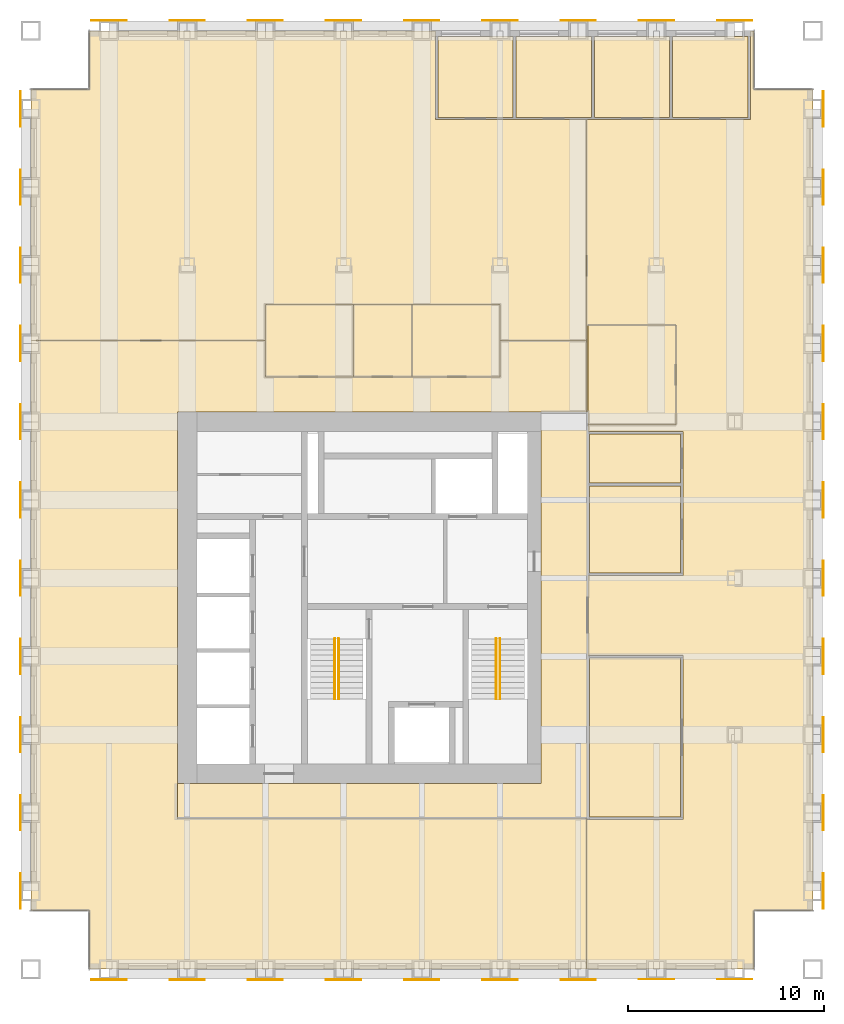
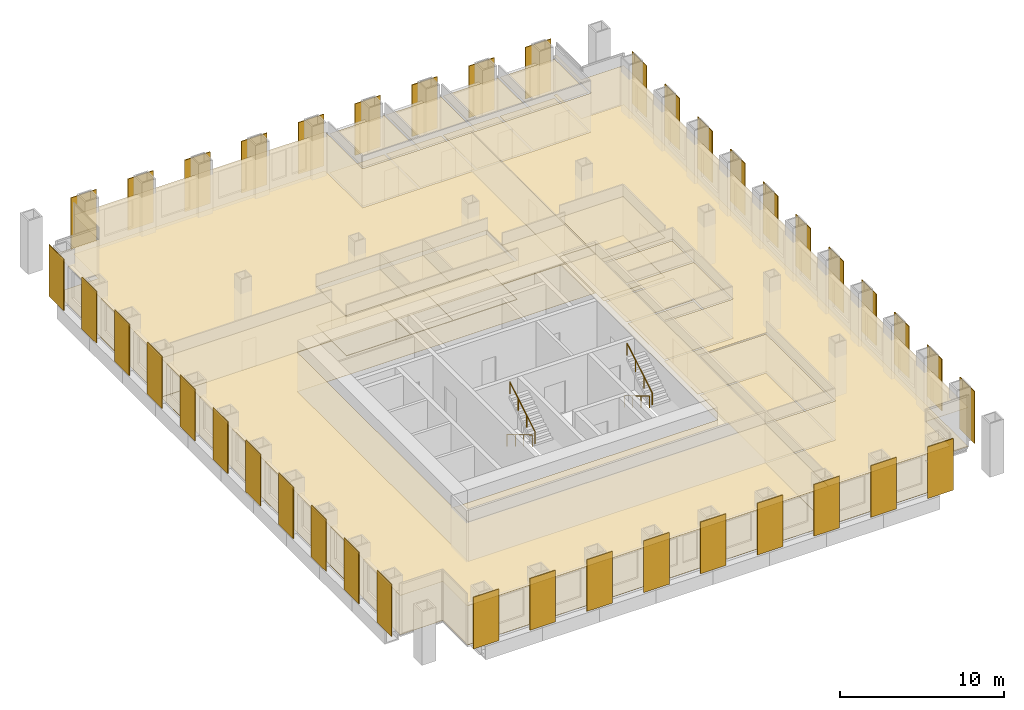
# One storey, part 13 of 13: 40 shading devices, 29 coverings, 4 railings.
"""IFC4 building model written with IfcOpenShell, lengths in metres."""

from ifc_helpers import new_model, si_unit, direction, frame, origin, origin_2d, place, context, subcontext, project, spatial, polyline, rectangle, circle, outline, extrude, material, layer, layer_set, type_object, element, save


model = new_model("IFC4")

# Units and contexts
model_context = context("Model", 3, precision=1e-05, world=origin(), true_north=direction((0.0, 1.0)))
body_context = subcontext(model_context, "Body", "Model", "MODEL_VIEW")
ifc_project = project(units=[si_unit("LENGTHUNIT", "METRE"), si_unit("AREAUNIT", "SQUARE_METRE"), si_unit("VOLUMEUNIT", "CUBIC_METRE"), si_unit("PLANEANGLEUNIT", "RADIAN"), si_unit("MASSUNIT", "GRAM", prefix="KILO")], contexts=[model_context])

# Site, building, storey
site_placement = place(None, origin())
site = spatial("IfcSite", under=ifc_project, at=site_placement, CompositionType="ELEMENT")
building_placement = place(site_placement, origin())
building = spatial("IfcBuilding", under=site, at=building_placement, Name="Rimbunsela Tower", CompositionType="ELEMENT")
storey_placement = place(building_placement, frame((0.0, 0.0, 222.199951171875)))
storey = spatial("IfcBuildingStorey", under=building, at=storey_placement, Name="L53", CompositionType="ELEMENT", Elevation=222.199951171875)

# Coverings
ifc_material_1 = material(Name="Nylon carpet tile", Category="textile")
ifc_layer_1 = layer(ifc_material_1, 0.010009765625)
ifc_layer_set_1 = layer_set([ifc_layer_1], Name="Carpet tile 10")
covering_type_1 = type_object("IfcCoveringType", Name="Carpet tile 10", PredefinedType="FLOORING", material=ifc_layer_set_1)
covering_1_placement = place(storey_placement, origin())
element("IfcCovering", 1, at=covering_1_placement, inside=storey, type_object=covering_type_1, Name="Floor finish Open office", PredefinedType="FLOORING", context=body_context, shape_type="SweptSolid", body=[
    extrude(outline(polyline([(38.425048828125, 51.449951171875), (38.5, 51.449951171875), (38.699951171875, 51.449951171875), (38.800048828125, 51.449951171875), (42.699951171875, 51.449951171875), (42.800048828125, 51.449951171875), (46.800048828125, 51.449951171875), (46.800048828125, 56.0), (47.0, 56.0), (47.0, 53.0), (50.0, 53.0), (50.0, 11.0), (47.0, 11.0), (47.0, 8.0), (38.5, 8.0), (38.425048828125, 8.0), (38.425048828125, 15.699951171875), (38.449951171875, 15.699951171875), (38.449951171875, 15.64990234375), (38.5, 15.64990234375), (43.35009765625, 15.64990234375), (43.35009765625, 24.050048828125), (38.5, 24.050048828125), (38.5, 28.14990234375), (43.35009765625, 28.14990234375), (43.35009765625, 32.75), (43.35009765625, 32.85009765625), (43.35009765625, 35.5), (38.5, 35.5), (38.5, 35.85009765625), (43.0, 35.85009765625), (43.0, 40.949951171875), (38.5, 40.949951171875), (38.5, 36.5), (38.425048828125, 36.5), (38.425048828125, 51.449951171875)])), origin(), (0.0, 0.0, 1.0), 0.010009765625),
])
covering_2_placement = place(storey_placement, origin())
element("IfcCovering", 2, at=covering_2_placement, inside=storey, type_object=covering_type_1, Name="Floor finish Open office", PredefinedType="FLOORING", context=body_context, shape_type="SweptSolid", body=[
    extrude(outline(polyline([(10.0, 40.14990234375), (10.0, 53.0), (13.0, 53.0), (13.0, 56.0), (17.5, 56.0), (30.699951171875, 56.0), (30.699951171875, 51.449951171875), (34.699951171875, 51.449951171875), (34.800048828125, 51.449951171875), (38.425048828125, 51.449951171875), (38.425048828125, 40.14990234375), (34.0, 40.14990234375), (34.0, 42.0), (22.0, 42.0), (22.0, 40.14990234375), (10.0, 40.14990234375)])), origin(), (0.0, 0.0, 1.0), 0.010009765625),
])
covering_3_placement = place(storey_placement, origin())
element("IfcCovering", 3, at=covering_3_placement, inside=storey, type_object=covering_type_1, Name="Floor finish Open office", PredefinedType="FLOORING", context=body_context, shape_type="SweptSolid", body=[
    extrude(outline(polyline([(13.0, 8.0), (13.0, 11.0), (10.0, 11.0), (10.0, 40.14990234375), (22.0, 40.14990234375), (22.0, 38.300048828125), (34.0, 38.300048828125), (34.0, 40.14990234375), (38.425048828125, 40.14990234375), (38.425048828125, 36.5), (36.10009765625, 36.5), (17.5, 36.5), (17.5, 17.5), (17.5, 15.699951171875), (38.425048828125, 15.699951171875), (38.425048828125, 8.0), (17.5, 8.0), (13.0, 8.0)])), origin(), (0.0, 0.0, 1.0), 0.010009765625),
])
covering_4_placement = place(storey_placement, origin())
element("IfcCovering", 4, at=covering_4_placement, inside=storey, type_object=covering_type_1, Name="Floor finish Reception", PredefinedType="FLOORING", context=body_context, shape_type="SweptSolid", body=[
    extrude(outline(polyline([(43.0, 35.85009765625), (43.0, 40.949951171875), (38.5, 40.949951171875), (38.5, 35.85009765625), (43.0, 35.85009765625)])), origin(), (0.0, 0.0, 1.0), 0.010009765625),
])
covering_5_placement = place(storey_placement, origin())
element("IfcCovering", 5, at=covering_5_placement, inside=storey, type_object=covering_type_1, Name="Floor finish Executive office", PredefinedType="FLOORING", context=body_context, shape_type="SweptSolid", body=[
    extrude(outline(polyline([(34.675048828125, 51.574951171875), (34.675048828125, 55.699951171875), (30.824951171875, 55.699951171875), (30.824951171875, 51.574951171875), (34.675048828125, 51.574951171875)])), origin(), (0.0, 0.0, 1.0), 0.010009765625),
])
covering_6_placement = place(storey_placement, origin())
element("IfcCovering", 6, at=covering_6_placement, inside=storey, type_object=covering_type_1, Name="Floor finish Executive office", PredefinedType="FLOORING", context=body_context, shape_type="SweptSolid", body=[
    extrude(outline(polyline([(38.675048828125, 51.574951171875), (38.675048828125, 55.699951171875), (34.824951171875, 55.699951171875), (34.824951171875, 51.574951171875), (38.675048828125, 51.574951171875)])), origin(), (0.0, 0.0, 1.0), 0.010009765625),
])
covering_7_placement = place(storey_placement, origin())
element("IfcCovering", 7, at=covering_7_placement, inside=storey, type_object=covering_type_1, Name="Floor finish Executive office", PredefinedType="FLOORING", context=body_context, shape_type="SweptSolid", body=[
    extrude(outline(polyline([(42.675048828125, 51.574951171875), (42.675048828125, 55.699951171875), (38.824951171875, 55.699951171875), (38.824951171875, 51.574951171875), (42.675048828125, 51.574951171875)])), origin(), (0.0, 0.0, 1.0), 0.010009765625),
])
covering_8_placement = place(storey_placement, origin())
element("IfcCovering", 8, at=covering_8_placement, inside=storey, type_object=covering_type_1, Name="Floor finish Executive office", PredefinedType="FLOORING", context=body_context, shape_type="SweptSolid", body=[
    extrude(outline(polyline([(46.675048828125, 51.574951171875), (46.675048828125, 55.699951171875), (42.824951171875, 55.699951171875), (42.824951171875, 51.574951171875), (46.675048828125, 51.574951171875)])), origin(), (0.0, 0.0, 1.0), 0.010009765625),
])
covering_9_placement = place(storey_placement, origin())
element("IfcCovering", 9, at=covering_9_placement, inside=storey, type_object=covering_type_1, Name="Floor finish Boardroom", PredefinedType="FLOORING", context=body_context, shape_type="SweptSolid", body=[
    extrude(outline(polyline([(43.22509765625, 15.77490234375), (43.22509765625, 23.925048828125), (38.574951171875, 23.925048828125), (38.574951171875, 15.77490234375), (43.22509765625, 15.77490234375)])), origin(), (0.0, 0.0, 1.0), 0.010009765625),
])
covering_10_placement = place(storey_placement, origin())
element("IfcCovering", 10, at=covering_10_placement, inside=storey, type_object=covering_type_1, Name="Floor finish Pantry", PredefinedType="FLOORING", context=body_context, shape_type="SweptSolid", body=[
    extrude(outline(polyline([(43.22509765625, 28.27490234375), (43.22509765625, 32.72509765625), (38.574951171875, 32.72509765625), (38.574951171875, 28.27490234375), (43.22509765625, 28.27490234375)])), origin(), (0.0, 0.0, 1.0), 0.010009765625),
])
covering_11_placement = place(storey_placement, origin())
element("IfcCovering", 11, at=covering_11_placement, inside=storey, type_object=covering_type_1, Name="Floor finish Print and copy room", PredefinedType="FLOORING", context=body_context, shape_type="SweptSolid", body=[
    extrude(outline(polyline([(43.22509765625, 32.875), (43.22509765625, 35.375), (38.574951171875, 35.375), (38.574951171875, 32.875), (43.22509765625, 32.875)])), origin(), (0.0, 0.0, 1.0), 0.010009765625),
])
ifc_material_2 = material(Name="Mineral fibre ceiling tile", Category="gypsum")
ifc_layer_2 = layer(ifc_material_2, 0.02001953125)
ifc_layer_set_2 = layer_set([ifc_layer_2], Name="Ceiling 600 grid")
covering_type_2 = type_object("IfcCoveringType", Name="Ceiling 600 grid", PredefinedType="CEILING", material=ifc_layer_set_2)
covering_12_placement = place(storey_placement, frame((0.0, 0.0, 2.900146484375)))
element("IfcCovering", 12, at=covering_12_placement, inside=storey, type_object=covering_type_2, Name="Ceiling L-shaped corridor", PredefinedType="CEILING", context=body_context, shape_type="SweptSolid", body=[
    extrude(outline(polyline([(38.5, 15.699951171875), (17.5, 15.699951171875), (17.5, 17.5), (36.10009765625, 17.5), (36.10009765625, 36.5), (38.5, 36.5), (38.5, 15.699951171875)])), origin(), (0.0, 0.0, 1.0), 0.02001953125),
])
covering_13_placement = place(storey_placement, frame((0.0, 0.0, 2.900146484375)))
element("IfcCovering", 13, at=covering_13_placement, inside=storey, type_object=covering_type_2, Name="Ceiling Open office", PredefinedType="CEILING", context=body_context, shape_type="SweptSolid", body=[
    extrude(outline(polyline([(38.425048828125, 51.449951171875), (38.5, 51.449951171875), (38.699951171875, 51.449951171875), (38.800048828125, 51.449951171875), (42.699951171875, 51.449951171875), (42.800048828125, 51.449951171875), (46.800048828125, 51.449951171875), (46.800048828125, 56.0), (47.0, 56.0), (47.0, 53.0), (50.0, 53.0), (50.0, 11.0), (47.0, 11.0), (47.0, 8.0), (38.5, 8.0), (38.425048828125, 8.0), (38.425048828125, 15.699951171875), (38.449951171875, 15.699951171875), (38.449951171875, 15.64990234375), (38.5, 15.64990234375), (43.35009765625, 15.64990234375), (43.35009765625, 24.050048828125), (38.5, 24.050048828125), (38.5, 28.14990234375), (43.35009765625, 28.14990234375), (43.35009765625, 32.75), (43.35009765625, 32.85009765625), (43.35009765625, 35.5), (38.5, 35.5), (38.5, 35.85009765625), (43.0, 35.85009765625), (43.0, 40.949951171875), (38.5, 40.949951171875), (38.5, 36.5), (38.425048828125, 36.5), (38.425048828125, 51.449951171875)])), origin(), (0.0, 0.0, 1.0), 0.02001953125),
])
covering_14_placement = place(storey_placement, frame((0.0, 0.0, 2.900146484375)))
element("IfcCovering", 14, at=covering_14_placement, inside=storey, type_object=covering_type_2, Name="Ceiling Open office", PredefinedType="CEILING", context=body_context, shape_type="SweptSolid", body=[
    extrude(outline(polyline([(10.0, 40.14990234375), (10.0, 53.0), (13.0, 53.0), (13.0, 56.0), (17.5, 56.0), (30.699951171875, 56.0), (30.699951171875, 51.449951171875), (34.699951171875, 51.449951171875), (34.800048828125, 51.449951171875), (38.425048828125, 51.449951171875), (38.425048828125, 40.14990234375), (34.0, 40.14990234375), (34.0, 42.0), (22.0, 42.0), (22.0, 40.14990234375), (10.0, 40.14990234375)])), origin(), (0.0, 0.0, 1.0), 0.02001953125),
])
covering_15_placement = place(storey_placement, frame((0.0, 0.0, 2.900146484375)))
element("IfcCovering", 15, at=covering_15_placement, inside=storey, type_object=covering_type_2, Name="Ceiling Open office", PredefinedType="CEILING", context=body_context, shape_type="SweptSolid", body=[
    extrude(outline(polyline([(13.0, 8.0), (13.0, 11.0), (10.0, 11.0), (10.0, 40.14990234375), (22.0, 40.14990234375), (22.0, 38.300048828125), (34.0, 38.300048828125), (34.0, 40.14990234375), (38.425048828125, 40.14990234375), (38.425048828125, 36.5), (36.10009765625, 36.5), (17.5, 36.5), (17.5, 17.5), (17.5, 15.699951171875), (38.425048828125, 15.699951171875), (38.425048828125, 8.0), (17.5, 8.0), (13.0, 8.0)])), origin(), (0.0, 0.0, 1.0), 0.02001953125),
])
covering_16_placement = place(storey_placement, frame((0.0, 0.0, 2.900146484375)))
element("IfcCovering", 16, at=covering_16_placement, inside=storey, type_object=covering_type_2, Name="Ceiling Reception", PredefinedType="CEILING", context=body_context, shape_type="SweptSolid", body=[
    extrude(outline(polyline([(43.0, 35.85009765625), (43.0, 40.949951171875), (38.5, 40.949951171875), (38.5, 35.85009765625), (43.0, 35.85009765625)])), origin(), (0.0, 0.0, 1.0), 0.02001953125),
])
covering_17_placement = place(storey_placement, frame((0.0, 0.0, 2.900146484375)))
element("IfcCovering", 17, at=covering_17_placement, inside=storey, type_object=covering_type_2, Name="Ceiling Executive office", PredefinedType="CEILING", context=body_context, shape_type="SweptSolid", body=[
    extrude(outline(polyline([(34.675048828125, 51.574951171875), (34.675048828125, 55.699951171875), (30.824951171875, 55.699951171875), (30.824951171875, 51.574951171875), (34.675048828125, 51.574951171875)])), origin(), (0.0, 0.0, 1.0), 0.02001953125),
])
covering_18_placement = place(storey_placement, frame((0.0, 0.0, 2.900146484375)))
element("IfcCovering", 18, at=covering_18_placement, inside=storey, type_object=covering_type_2, Name="Ceiling Executive office", PredefinedType="CEILING", context=body_context, shape_type="SweptSolid", body=[
    extrude(outline(polyline([(38.675048828125, 51.574951171875), (38.675048828125, 55.699951171875), (34.824951171875, 55.699951171875), (34.824951171875, 51.574951171875), (38.675048828125, 51.574951171875)])), origin(), (0.0, 0.0, 1.0), 0.02001953125),
])
covering_19_placement = place(storey_placement, frame((0.0, 0.0, 2.900146484375)))
element("IfcCovering", 19, at=covering_19_placement, inside=storey, type_object=covering_type_2, Name="Ceiling Executive office", PredefinedType="CEILING", context=body_context, shape_type="SweptSolid", body=[
    extrude(outline(polyline([(42.675048828125, 51.574951171875), (42.675048828125, 55.699951171875), (38.824951171875, 55.699951171875), (38.824951171875, 51.574951171875), (42.675048828125, 51.574951171875)])), origin(), (0.0, 0.0, 1.0), 0.02001953125),
])
covering_20_placement = place(storey_placement, frame((0.0, 0.0, 2.900146484375)))
element("IfcCovering", 20, at=covering_20_placement, inside=storey, type_object=covering_type_2, Name="Ceiling Executive office", PredefinedType="CEILING", context=body_context, shape_type="SweptSolid", body=[
    extrude(outline(polyline([(46.675048828125, 51.574951171875), (46.675048828125, 55.699951171875), (42.824951171875, 55.699951171875), (42.824951171875, 51.574951171875), (46.675048828125, 51.574951171875)])), origin(), (0.0, 0.0, 1.0), 0.02001953125),
])
covering_21_placement = place(storey_placement, frame((0.0, 0.0, 2.900146484375)))
element("IfcCovering", 21, at=covering_21_placement, inside=storey, type_object=covering_type_2, Name="Ceiling Boardroom", PredefinedType="CEILING", context=body_context, shape_type="SweptSolid", body=[
    extrude(outline(polyline([(43.22509765625, 15.77490234375), (43.22509765625, 23.925048828125), (38.574951171875, 23.925048828125), (38.574951171875, 15.77490234375), (43.22509765625, 15.77490234375)])), origin(), (0.0, 0.0, 1.0), 0.02001953125),
])
covering_22_placement = place(storey_placement, frame((0.0, 0.0, 2.900146484375)))
element("IfcCovering", 22, at=covering_22_placement, inside=storey, type_object=covering_type_2, Name="Ceiling Pantry", PredefinedType="CEILING", context=body_context, shape_type="SweptSolid", body=[
    extrude(outline(polyline([(43.22509765625, 28.27490234375), (43.22509765625, 32.72509765625), (38.574951171875, 32.72509765625), (38.574951171875, 28.27490234375), (43.22509765625, 28.27490234375)])), origin(), (0.0, 0.0, 1.0), 0.02001953125),
])
covering_23_placement = place(storey_placement, frame((0.0, 0.0, 2.900146484375)))
element("IfcCovering", 23, at=covering_23_placement, inside=storey, type_object=covering_type_2, Name="Ceiling Print and copy room", PredefinedType="CEILING", context=body_context, shape_type="SweptSolid", body=[
    extrude(outline(polyline([(43.22509765625, 32.875), (43.22509765625, 35.375), (38.574951171875, 35.375), (38.574951171875, 32.875), (43.22509765625, 32.875)])), origin(), (0.0, 0.0, 1.0), 0.02001953125),
])
ifc_material_3 = material(Name="Moisture-resistant plasterboard ceiling", Category="gypsum")
ifc_layer_3 = layer(ifc_material_3, 0.012451171875)
ifc_layer_set_3 = layer_set([ifc_layer_3], Name="Ceiling moisture-resistant board")
covering_type_3 = type_object("IfcCoveringType", Name="Ceiling moisture-resistant board", PredefinedType="CEILING", material=ifc_layer_set_3)
covering_24_placement = place(storey_placement, frame((0.0, 0.0, 2.60009765625)))
element("IfcCovering", 24, at=covering_24_placement, inside=storey, type_object=covering_type_3, Name="Ceiling Female WC", PredefinedType="CEILING", context=body_context, shape_type="SweptSolid", body=[
    extrude(outline(polyline([(26.5, 38.300048828125), (26.5, 42.0), (22.0, 42.0), (22.0, 38.300048828125), (26.5, 38.300048828125)])), origin(), (0.0, 0.0, 1.0), 0.02001953125),
])
covering_25_placement = place(storey_placement, frame((0.0, 0.0, 2.60009765625)))
element("IfcCovering", 25, at=covering_25_placement, inside=storey, type_object=covering_type_3, Name="Ceiling Accessible WC", PredefinedType="CEILING", context=body_context, shape_type="SweptSolid", body=[
    extrude(outline(polyline([(29.5, 38.300048828125), (29.5, 42.0), (26.5, 42.0), (26.5, 38.300048828125), (29.5, 38.300048828125)])), origin(), (0.0, 0.0, 1.0), 0.02001953125),
])
covering_26_placement = place(storey_placement, frame((0.0, 0.0, 2.60009765625)))
element("IfcCovering", 26, at=covering_26_placement, inside=storey, type_object=covering_type_3, Name="Ceiling Male WC", PredefinedType="CEILING", context=body_context, shape_type="SweptSolid", body=[
    extrude(outline(polyline([(34.0, 38.300048828125), (34.0, 42.0), (29.5, 42.0), (29.5, 38.300048828125), (34.0, 38.300048828125)])), origin(), (0.0, 0.0, 1.0), 0.02001953125),
])
ifc_material_4 = material(Name="Porcelain floor tile in adhesive bed", Category="ceramic")
ifc_layer_4 = layer(ifc_material_4, 0.02001953125)
ifc_layer_set_4 = layer_set([ifc_layer_4], Name="Porcelain tile 20")
covering_type_4 = type_object("IfcCoveringType", Name="Porcelain tile 20", PredefinedType="FLOORING", material=ifc_layer_set_4)
covering_27_placement = place(storey_placement, origin())
element("IfcCovering", 27, at=covering_27_placement, inside=storey, type_object=covering_type_4, Name="Floor finish Female WC", PredefinedType="FLOORING", context=body_context, shape_type="SweptSolid", body=[
    extrude(outline(polyline([(26.5, 38.300048828125), (26.5, 42.0), (22.0, 42.0), (22.0, 38.300048828125), (26.5, 38.300048828125)])), origin(), (0.0, 0.0, 1.0), 0.02001953125),
])
covering_28_placement = place(storey_placement, origin())
element("IfcCovering", 28, at=covering_28_placement, inside=storey, type_object=covering_type_4, Name="Floor finish Accessible WC", PredefinedType="FLOORING", context=body_context, shape_type="SweptSolid", body=[
    extrude(outline(polyline([(29.5, 38.300048828125), (29.5, 42.0), (26.5, 42.0), (26.5, 38.300048828125), (29.5, 38.300048828125)])), origin(), (0.0, 0.0, 1.0), 0.02001953125),
])
covering_29_placement = place(storey_placement, origin())
element("IfcCovering", 29, at=covering_29_placement, inside=storey, type_object=covering_type_4, Name="Floor finish Male WC", PredefinedType="FLOORING", context=body_context, shape_type="SweptSolid", body=[
    extrude(outline(polyline([(34.0, 38.300048828125), (34.0, 42.0), (29.5, 42.0), (29.5, 38.300048828125), (34.0, 38.300048828125)])), origin(), (0.0, 0.0, 1.0), 0.02001953125),
])

# Shading devices
ifc_material_5 = material(Name="Perforated aluminium, 35 % open area", Category="aluminium")
ifc_layer_5 = layer(ifc_material_5, 0.050048828125)
ifc_layer_set_5 = layer_set([ifc_layer_5], Name="Solar screen panel 1800")
shading_device_type = type_object("IfcShadingDeviceType", Name="Solar screen panel 1800", PredefinedType="USERDEFINED", material=ifc_layer_set_5)
for number, where, z_axis, x_axis, name in (
    (30, (14.0, 7.47509765625, 0.0), (0.0, 0.0, 1.0), (1.0, 0.0, 0.0), "Solar screen S L53"),
    (31, (18.0, 7.47509765625, 0.0), (0.0, 0.0, 1.0), (1.0, 0.0, 0.0), "Solar screen S L53"),
    (32, (22.0, 7.47509765625, 0.0), (0.0, 0.0, 1.0), (1.0, 0.0, 0.0), "Solar screen S L53"),
    (33, (26.0, 7.47509765625, 0.0), (0.0, 0.0, 1.0), (1.0, 0.0, 0.0), "Solar screen S L53"),
    (34, (30.0, 7.47509765625, 0.0), (0.0, 0.0, 1.0), (1.0, 0.0, 0.0), "Solar screen S L53"),
    (35, (34.0, 7.47509765625, 0.0), (0.0, 0.0, 1.0), (1.0, 0.0, 0.0), "Solar screen S L53"),
    (36, (38.0, 7.47509765625, 0.0), (0.0, 0.0, 1.0), (1.0, 0.0, 0.0), "Solar screen S L53"),
    (37, (42.0, 7.47509765625, 0.0), (0.0, 0.0, 1.0), (1.0, 0.0, 0.0), "Solar screen S L53"),
    (38, (46.0, 7.47509765625, 0.0), (0.0, 0.0, 1.0), (1.0, 0.0, 0.0), "Solar screen S L53"),
    (39, (50.52490234375, 12.0, 0.0), (0.0, 0.0, 1.0), (0.0, 1.0, 0.0), "Solar screen E L53"),
    (40, (50.52490234375, 16.0, 0.0), (0.0, 0.0, 1.0), (0.0, 1.0, 0.0), "Solar screen E L53"),
    (41, (50.52490234375, 20.0, 0.0), (0.0, 0.0, 1.0), (0.0, 1.0, 0.0), "Solar screen E L53"),
    (42, (50.52490234375, 24.0, 0.0), (0.0, 0.0, 1.0), (0.0, 1.0, 0.0), "Solar screen E L53"),
    (43, (50.52490234375, 28.0, 0.0), (0.0, 0.0, 1.0), (0.0, 1.0, 0.0), "Solar screen E L53"),
    (44, (50.52490234375, 32.0, 0.0), (0.0, 0.0, 1.0), (0.0, 1.0, 0.0), "Solar screen E L53"),
    (45, (50.52490234375, 36.0, 0.0), (0.0, 0.0, 1.0), (0.0, 1.0, 0.0), "Solar screen E L53"),
    (46, (50.52490234375, 40.0, 0.0), (0.0, 0.0, 1.0), (0.0, 1.0, 0.0), "Solar screen E L53"),
    (47, (50.52490234375, 44.0, 0.0), (0.0, 0.0, 1.0), (0.0, 1.0, 0.0), "Solar screen E L53"),
    (48, (50.52490234375, 48.0, 0.0), (0.0, 0.0, 1.0), (0.0, 1.0, 0.0), "Solar screen E L53"),
    (49, (50.52490234375, 52.0, 0.0), (0.0, 0.0, 1.0), (0.0, 1.0, 0.0), "Solar screen E L53"),
    (50, (14.0, 56.52490234375, 0.0), (0.0, 0.0, 1.0), (1.0, 0.0, 0.0), "Solar screen N L53"),
    (51, (18.0, 56.52490234375, 0.0), (0.0, 0.0, 1.0), (1.0, 0.0, 0.0), "Solar screen N L53"),
    (52, (22.0, 56.52490234375, 0.0), (0.0, 0.0, 1.0), (1.0, 0.0, 0.0), "Solar screen N L53"),
    (53, (26.0, 56.52490234375, 0.0), (0.0, 0.0, 1.0), (1.0, 0.0, 0.0), "Solar screen N L53"),
    (54, (30.0, 56.52490234375, 0.0), (0.0, 0.0, 1.0), (1.0, 0.0, 0.0), "Solar screen N L53"),
    (55, (34.0, 56.52490234375, 0.0), (0.0, 0.0, 1.0), (1.0, 0.0, 0.0), "Solar screen N L53"),
    (56, (38.0, 56.52490234375, 0.0), (0.0, 0.0, 1.0), (1.0, 0.0, 0.0), "Solar screen N L53"),
    (57, (42.0, 56.52490234375, 0.0), (0.0, 0.0, 1.0), (1.0, 0.0, 0.0), "Solar screen N L53"),
    (58, (46.0, 56.52490234375, 0.0), (0.0, 0.0, 1.0), (1.0, 0.0, 0.0), "Solar screen N L53"),
    (59, (9.47509765625, 12.0, 0.0), (0.0, 0.0, 1.0), (0.0, 1.0, 0.0), "Solar screen W L53"),
    (60, (9.47509765625, 16.0, 0.0), (0.0, 0.0, 1.0), (0.0, 1.0, 0.0), "Solar screen W L53"),
    (61, (9.47509765625, 20.0, 0.0), (0.0, 0.0, 1.0), (0.0, 1.0, 0.0), "Solar screen W L53"),
    (62, (9.47509765625, 24.0, 0.0), (0.0, 0.0, 1.0), (0.0, 1.0, 0.0), "Solar screen W L53"),
    (63, (9.47509765625, 28.0, 0.0), (0.0, 0.0, 1.0), (0.0, 1.0, 0.0), "Solar screen W L53"),
    (64, (9.47509765625, 32.0, 0.0), (0.0, 0.0, 1.0), (0.0, 1.0, 0.0), "Solar screen W L53"),
    (65, (9.47509765625, 36.0, 0.0), (0.0, 0.0, 1.0), (0.0, 1.0, 0.0), "Solar screen W L53"),
    (66, (9.47509765625, 40.0, 0.0), (0.0, 0.0, 1.0), (0.0, 1.0, 0.0), "Solar screen W L53"),
    (67, (9.47509765625, 44.0, 0.0), (0.0, 0.0, 1.0), (0.0, 1.0, 0.0), "Solar screen W L53"),
    (68, (9.47509765625, 48.0, 0.0), (0.0, 0.0, 1.0), (0.0, 1.0, 0.0), "Solar screen W L53"),
    (69, (9.47509765625, 52.0, 0.0), (0.0, 0.0, 1.0), (0.0, 1.0, 0.0), "Solar screen W L53"),
):
    element("IfcShadingDevice", number, at=place(storey_placement, frame(where, z_axis=z_axis, x_axis=x_axis)), inside=storey, type_object=shading_device_type, Name=name, ObjectType="SCREEN", PredefinedType="USERDEFINED", context=body_context, shape_type="SweptSolid", body=[
        extrude(rectangle(XDim=1.800048828125, YDim=0.050048828125, at=origin_2d()), origin(), (0.0, 0.0, 1.0), 3.85009765625),
    ])

# Railings
ifc_material_6 = material(Name="Stainless steel tube", Category="steel")
railing_type = type_object("IfcRailingType", Name="Stair handrail 900", PredefinedType="HANDRAIL", material=ifc_material_6)
railing_1_placement = place(storey_placement, frame((25.550048828125, 24.89990234375, 0.166748046875)))
element("IfcRailing", 70, at=railing_1_placement, inside=storey, type_object=railing_type, Name="Handrail ST-A flight 1", PredefinedType="HANDRAIL", context=body_context, shape_type="SweptSolid", body=[
    extrude(circle(Radius=0.02392578125, at=origin_2d()), frame((0.0, 0.0, 0.8759765625), z_axis=(0.0, -0.859290745958, 0.51148745235), x_axis=(1.0, 0.0, 0.0)), (0.0, 0.0, 1.0), 3.584228515625),
    extrude(circle(Radius=0.02099609375, at=origin_2d()), origin(), (0.0, 0.0, 1.0), 0.851806640625),
    extrude(circle(Radius=0.02099609375, at=origin_2d()), frame((0.0, -1.026611328125, 0.611083984375)), (0.0, 0.0, 1.0), 0.851806640625),
    extrude(circle(Radius=0.02099609375, at=origin_2d()), frame((0.0, -2.05322265625, 1.22216796875)), (0.0, 0.0, 1.0), 0.851806640625),
    extrude(circle(Radius=0.02099609375, at=origin_2d()), frame((0.0, -3.079833984375, 1.833251953125)), (0.0, 0.0, 1.0), 0.851806640625),
])
railing_2_placement = place(storey_placement, frame((25.75, 21.820068359375, 2.166748046875)))
element("IfcRailing", 71, at=railing_2_placement, inside=storey, type_object=railing_type, Name="Handrail ST-A flight 2", PredefinedType="HANDRAIL", context=body_context, shape_type="SweptSolid", body=[
    extrude(circle(Radius=0.02392578125, at=origin_2d()), frame((0.0, 0.0, 0.8759765625), z_axis=(0.0, 0.859290745958, 0.51148745235), x_axis=(-1.0, 0.0, 0.0)), (0.0, 0.0, 1.0), 3.584228515625),
    extrude(circle(Radius=0.02099609375, at=origin_2d()), origin(), (0.0, 0.0, 1.0), 0.851806640625),
    extrude(circle(Radius=0.02099609375, at=origin_2d()), frame((0.0, 1.026611328125, 0.611083984375)), (0.0, 0.0, 1.0), 0.851806640625),
    extrude(circle(Radius=0.02099609375, at=origin_2d()), frame((0.0, 2.05322265625, 1.22216796875)), (0.0, 0.0, 1.0), 0.851806640625),
    extrude(circle(Radius=0.02099609375, at=origin_2d()), frame((0.0, 3.079833984375, 1.833251953125)), (0.0, 0.0, 1.0), 0.851806640625),
])
railing_3_placement = place(storey_placement, frame((33.800048828125, 24.89990234375, 0.166748046875)))
element("IfcRailing", 72, at=railing_3_placement, inside=storey, type_object=railing_type, Name="Handrail ST-B flight 1", PredefinedType="HANDRAIL", context=body_context, shape_type="SweptSolid", body=[
    extrude(circle(Radius=0.02392578125, at=origin_2d()), frame((0.0, 0.0, 0.8759765625), z_axis=(0.0, -0.859290745958, 0.51148745235), x_axis=(1.0, 0.0, 0.0)), (0.0, 0.0, 1.0), 3.584228515625),
    extrude(circle(Radius=0.02099609375, at=origin_2d()), origin(), (0.0, 0.0, 1.0), 0.851806640625),
    extrude(circle(Radius=0.02099609375, at=origin_2d()), frame((0.0, -1.026611328125, 0.611083984375)), (0.0, 0.0, 1.0), 0.851806640625),
    extrude(circle(Radius=0.02099609375, at=origin_2d()), frame((0.0, -2.05322265625, 1.22216796875)), (0.0, 0.0, 1.0), 0.851806640625),
    extrude(circle(Radius=0.02099609375, at=origin_2d()), frame((0.0, -3.079833984375, 1.833251953125)), (0.0, 0.0, 1.0), 0.851806640625),
])
railing_4_placement = place(storey_placement, frame((34.0, 21.820068359375, 2.166748046875)))
element("IfcRailing", 73, at=railing_4_placement, inside=storey, type_object=railing_type, Name="Handrail ST-B flight 2", PredefinedType="HANDRAIL", context=body_context, shape_type="SweptSolid", body=[
    extrude(circle(Radius=0.02392578125, at=origin_2d()), frame((0.0, 0.0, 0.8759765625), z_axis=(0.0, 0.859290745958, 0.51148745235), x_axis=(-1.0, 0.0, 0.0)), (0.0, 0.0, 1.0), 3.584228515625),
    extrude(circle(Radius=0.02099609375, at=origin_2d()), origin(), (0.0, 0.0, 1.0), 0.851806640625),
    extrude(circle(Radius=0.02099609375, at=origin_2d()), frame((0.0, 1.026611328125, 0.611083984375)), (0.0, 0.0, 1.0), 0.851806640625),
    extrude(circle(Radius=0.02099609375, at=origin_2d()), frame((0.0, 2.05322265625, 1.22216796875)), (0.0, 0.0, 1.0), 0.851806640625),
    extrude(circle(Radius=0.02099609375, at=origin_2d()), frame((0.0, 3.079833984375, 1.833251953125)), (0.0, 0.0, 1.0), 0.851806640625),
])

save(model, "model.ifc")
